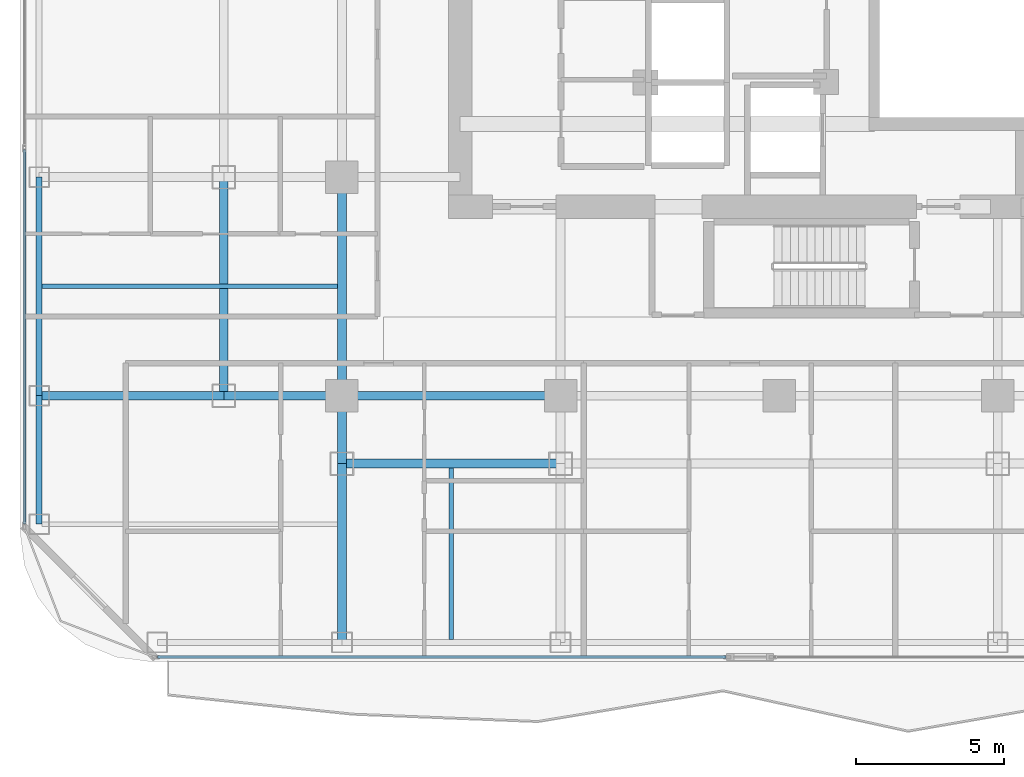
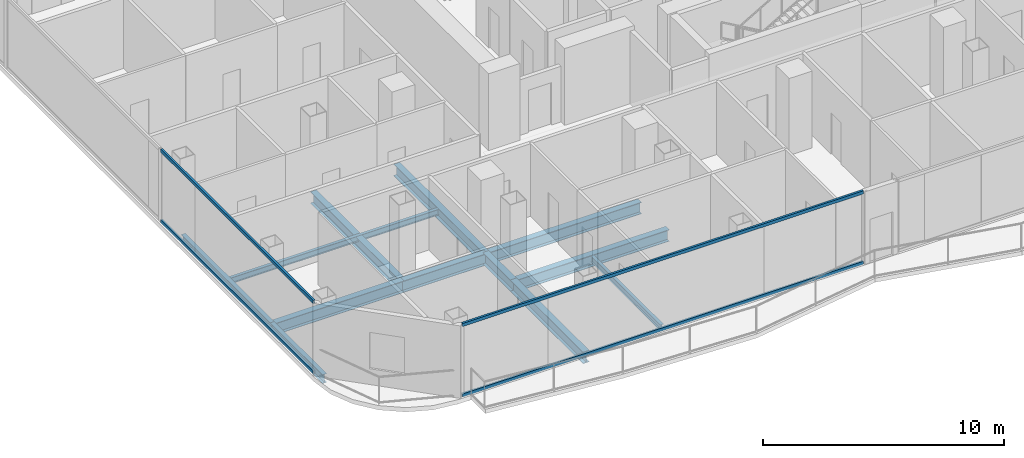
# One storey, part 3 of 26: 12 beams, 4 members, 2 elements without a shape of their own.
"""IFC4 building model written with IfcOpenShell, lengths in metres."""

from ifc_helpers import new_model, si_unit, direction, frame, origin, origin_2d, place, context, subcontext, project, spatial, hollow_rectangle, i_section, extrude, material, layer, layer_set, material_profile, profile_set, type_object, element, aggregate, save


model = new_model("IFC4")

# Units and contexts
model_context = context("Model", 3, precision=1e-05, world=origin(), true_north=direction((0.0, 1.0)))
body_context = subcontext(model_context, "Body", "Model", "MODEL_VIEW")
ifc_project = project(units=[si_unit("LENGTHUNIT", "METRE"), si_unit("AREAUNIT", "SQUARE_METRE"), si_unit("VOLUMEUNIT", "CUBIC_METRE"), si_unit("PLANEANGLEUNIT", "RADIAN"), si_unit("MASSUNIT", "GRAM", prefix="KILO")], contexts=[model_context])

# Site, building, storey
site_placement = place(None, origin())
site = spatial("IfcSite", under=ifc_project, at=site_placement, CompositionType="ELEMENT")
building_placement = place(site_placement, origin())
building = spatial("IfcBuilding", under=site, at=building_placement, Name="Khorvyn Point Tower", CompositionType="ELEMENT")
storey_placement = place(building_placement, frame((0.0, 0.0, 183.60009765625)))
storey = spatial("IfcBuildingStorey", under=building, at=storey_placement, Name="L45", CompositionType="ELEMENT", Elevation=183.60009765625)

# Curtain wall, members
ifc_material_1 = material(Name="Anodised aluminium 6063-T6 and laminated Low-E glass", Category="aluminium")
ifc_layer = layer(ifc_material_1, 0.18994140625)
ifc_layer_set = layer_set([ifc_layer], Name="Stick-Built Acoustic Curtain Wall CW-SYS-03")
curtain_wall_type = type_object("IfcCurtainWallType", Name="Stick-Built Acoustic Curtain Wall CW-SYS-03", PredefinedType="NOTDEFINED", material=ifc_layer_set)
curtain_wall_1_placement = place(storey_placement, origin())
curtain_wall_1 = element("IfcCurtainWall", 1, at=curtain_wall_1_placement, inside=storey, type_object=curtain_wall_type, Name="Curtain Wall", PredefinedType="NOTDEFINED")
ifc_material_2 = material(Name="Anodised aluminium 6063-T6", Category="aluminium")
ifc_material_profile_1 = material_profile(ifc_material_2, hollow_rectangle(XDim=0.10009765625, YDim=0.159912109375, WallThickness=0.00439453125, at=origin_2d()))
ifc_profile_set_1 = profile_set([ifc_material_profile_1], Name="Anodised aluminium 6063-T6 ALU-TRN-100x160")
member_type = type_object("IfcMemberType", Name="Anodised Aluminium 6063-T6 Transom ALU-TRN-100x160", PredefinedType="USERDEFINED", material=ifc_profile_set_1)
member_1_placement = place(storey_placement, frame((-1.805908203125, -23.64990234375, 0.0498046875), z_axis=(-1.0, 0.0, 0.0), x_axis=(0.0, -1.0, 0.0)))
member_1 = element("IfcMember", 2, at=member_1_placement, type_object=member_type, Name="Transom", ObjectType="TRANSOM", PredefinedType="USERDEFINED", context=body_context, shape_type="SweptSolid", body=[
    extrude(hollow_rectangle(XDim=0.10009765625, YDim=0.159912109375, WallThickness=0.00439453125, at=origin_2d()), origin(), (0.0, 0.0, 1.0), 19.244140625),
])
member_2_placement = place(storey_placement, frame((-1.805908203125, -23.64990234375, 3.6298828125), z_axis=(-1.0, 0.0, 0.0), x_axis=(0.0, -1.0, 0.0)))
member_2 = element("IfcMember", 3, at=member_2_placement, type_object=member_type, Name="Transom", ObjectType="TRANSOM", PredefinedType="USERDEFINED", context=body_context, shape_type="SweptSolid", body=[
    extrude(hollow_rectangle(XDim=0.10009765625, YDim=0.159912109375, WallThickness=0.00439453125, at=origin_2d()), origin(), (0.0, 0.0, 1.0), 19.244140625),
])
aggregate(curtain_wall_1, [member_1, member_2])

curtain_wall_2_placement = place(storey_placement, origin())
curtain_wall_2 = element("IfcCurtainWall", 4, at=curtain_wall_2_placement, inside=storey, type_object=curtain_wall_type, Name="Curtain Wall", PredefinedType="NOTDEFINED")
member_3_placement = place(storey_placement, frame((-25.550048828125, -19.14990234375, 0.0498046875), z_axis=(0.0, 1.0, 0.0), x_axis=(-1.0, 0.0, 0.0)))
member_3 = element("IfcMember", 5, at=member_3_placement, type_object=member_type, Name="Transom", ObjectType="TRANSOM", PredefinedType="USERDEFINED", context=body_context, shape_type="SweptSolid", body=[
    extrude(hollow_rectangle(XDim=0.10009765625, YDim=0.159912109375, WallThickness=0.00439453125, at=origin_2d()), origin(), (0.0, 0.0, 1.0), 12.683349609375),
])
member_4_placement = place(storey_placement, frame((-25.550048828125, -19.14990234375, 3.6298828125), z_axis=(0.0, 1.0, 0.0), x_axis=(-1.0, 0.0, 0.0)))
member_4 = element("IfcMember", 6, at=member_4_placement, type_object=member_type, Name="Transom", ObjectType="TRANSOM", PredefinedType="USERDEFINED", context=body_context, shape_type="SweptSolid", body=[
    extrude(hollow_rectangle(XDim=0.10009765625, YDim=0.159912109375, WallThickness=0.00439453125, at=origin_2d()), origin(), (0.0, 0.0, 1.0), 12.683349609375),
])
aggregate(curtain_wall_2, [member_3, member_4])

# Beams
ifc_material_3 = material(Name="Steel S355", Category="steel")
ifc_material_profile_2 = material_profile(ifc_material_3, i_section(OverallWidth=0.300048828125, OverallDepth=0.587890625, WebThickness=0.011962890625, FlangeThickness=0.02001953125, at=origin_2d()))
ifc_profile_set_2 = profile_set([ifc_material_profile_2], Name="Steel S355 H588x300x12x20")
beam_type_1 = type_object("IfcBeamType", Name="Steel S355 Beam H588x300x12x20", PredefinedType="BEAM", material=ifc_profile_set_2)
beam_1_placement = place(storey_placement, frame((-25.050048828125, -14.800048828125, -0.51416015625), z_axis=(1.0, 0.0, 0.0), x_axis=(0.0, 1.0, 0.0)))
element("IfcBeam", 7, at=beam_1_placement, inside=storey, type_object=beam_type_1, Name="Beam", PredefinedType="BEAM", context=body_context, shape_type="SweptSolid", body=[
    extrude(i_section(OverallWidth=0.300048828125, OverallDepth=0.587890625, WebThickness=0.011962890625, FlangeThickness=0.02001953125, at=origin_2d()), origin(), (0.0, 0.0, 1.0), 6.25),
])
beam_2_placement = place(storey_placement, frame((-18.800048828125, -14.800048828125, -0.51416015625), z_axis=(1.0, 0.0, 0.0), x_axis=(0.0, 1.0, 0.0)))
element("IfcBeam", 8, at=beam_2_placement, inside=storey, type_object=beam_type_1, Name="Beam", PredefinedType="BEAM", context=body_context, shape_type="SweptSolid", body=[
    extrude(i_section(OverallWidth=0.300048828125, OverallDepth=0.587890625, WebThickness=0.011962890625, FlangeThickness=0.02001953125, at=origin_2d()), origin(), (0.0, 0.0, 1.0), 4.0),
])
for number, where, z_axis, x_axis, name in (
    (9, (-14.800048828125, -14.800048828125, -0.51416015625), (1.0, 0.0, 0.0), (0.0, 1.0, 0.0), "Beam"),
    (10, (-14.800048828125, -17.10009765625, -0.51416015625), (1.0, 0.0, 0.0), (0.0, 1.0, 0.0), "Beam"),
):
    element("IfcBeam", number, at=place(storey_placement, frame(where, z_axis=z_axis, x_axis=x_axis)), inside=storey, type_object=beam_type_1, Name=name, PredefinedType="BEAM", context=body_context, shape_type="SweptSolid", body=[
        extrude(i_section(OverallWidth=0.300048828125, OverallDepth=0.587890625, WebThickness=0.011962890625, FlangeThickness=0.02001953125, at=origin_2d()), origin(), (0.0, 0.0, 1.0), 7.400146484375),
    ])
beam_3_placement = place(storey_placement, frame((-14.800048828125, -23.14990234375, -0.51416015625), z_axis=(0.0, 1.0, 0.0), x_axis=(-1.0, 0.0, 0.0)))
element("IfcBeam", 11, at=beam_3_placement, inside=storey, type_object=beam_type_1, Name="Beam", PredefinedType="BEAM", context=body_context, shape_type="SweptSolid", body=[
    extrude(i_section(OverallWidth=0.300048828125, OverallDepth=0.587890625, WebThickness=0.011962890625, FlangeThickness=0.02001953125, at=origin_2d()), origin(), (0.0, 0.0, 1.0), 6.0498046875),
])
beam_4_placement = place(storey_placement, frame((-14.800048828125, -17.10009765625, -0.51416015625), z_axis=(0.0, 1.0, 0.0), x_axis=(-1.0, 0.0, 0.0)))
element("IfcBeam", 12, at=beam_4_placement, inside=storey, type_object=beam_type_1, Name="Beam", PredefinedType="BEAM", context=body_context, shape_type="SweptSolid", body=[
    extrude(i_section(OverallWidth=0.300048828125, OverallDepth=0.587890625, WebThickness=0.011962890625, FlangeThickness=0.02001953125, at=origin_2d()), origin(), (0.0, 0.0, 1.0), 2.300048828125),
])
for number, where, z_axis, x_axis, name in (
    (13, (-14.800048828125, -14.800048828125, -0.51416015625), (0.0, 1.0, 0.0), (-1.0, 0.0, 0.0), "Beam"),
    (14, (-18.800048828125, -14.800048828125, -0.51416015625), (0.0, 1.0, 0.0), (-1.0, 0.0, 0.0), "Beam"),
):
    element("IfcBeam", number, at=place(storey_placement, frame(where, z_axis=z_axis, x_axis=x_axis)), inside=storey, type_object=beam_type_1, Name=name, PredefinedType="BEAM", context=body_context, shape_type="SweptSolid", body=[
        extrude(i_section(OverallWidth=0.300048828125, OverallDepth=0.587890625, WebThickness=0.011962890625, FlangeThickness=0.02001953125, at=origin_2d()), origin(), (0.0, 0.0, 1.0), 7.400146484375),
    ])
ifc_material_profile_3 = material_profile(ifc_material_3, i_section(OverallWidth=0.14990234375, OverallDepth=0.300048828125, WebThickness=0.006591796875, FlangeThickness=0.009033203125, at=origin_2d()))
ifc_profile_set_3 = profile_set([ifc_material_profile_3], Name="Steel S355 H300x150x6.5x9")
beam_type_2 = type_object("IfcBeamType", Name="Steel S355 Joist H300x150x6.5x9", PredefinedType="JOIST", material=ifc_profile_set_3)
beam_5_placement = place(storey_placement, frame((-24.949951171875, -11.10009765625, -0.3701171875), z_axis=(1.0, 0.0, 0.0), x_axis=(0.0, 1.0, 0.0)))
element("IfcBeam", 15, at=beam_5_placement, inside=storey, type_object=beam_type_2, Name="Beam", PredefinedType="JOIST", context=body_context, shape_type="SweptSolid", body=[
    extrude(i_section(OverallWidth=0.14990234375, OverallDepth=0.300048828125, WebThickness=0.006591796875, FlangeThickness=0.009033203125, at=origin_2d()), origin(), (0.0, 0.0, 1.0), 10.0),
])
beam_6_placement = place(storey_placement, frame((-11.10009765625, -23.050048828125, -0.3701171875), z_axis=(0.0, 1.0, 0.0), x_axis=(-1.0, 0.0, 0.0)))
element("IfcBeam", 16, at=beam_6_placement, inside=storey, type_object=beam_type_2, Name="Beam", PredefinedType="JOIST", context=body_context, shape_type="SweptSolid", body=[
    extrude(i_section(OverallWidth=0.14990234375, OverallDepth=0.300048828125, WebThickness=0.006591796875, FlangeThickness=0.009033203125, at=origin_2d()), origin(), (0.0, 0.0, 1.0), 5.800048828125),
])
ifc_material_profile_4 = material_profile(ifc_material_3, i_section(OverallWidth=0.199951171875, OverallDepth=0.449951171875, WebThickness=0.009033203125, FlangeThickness=0.013916015625, at=origin_2d()))
ifc_profile_set_4 = profile_set([ifc_material_profile_4], Name="Steel S355 H450x200x9x14")
beam_type_3 = type_object("IfcBeamType", Name="Steel S355 Spandrel H450x200x9x14", PredefinedType="SPANDREL", material=ifc_profile_set_4)
beam_7_placement = place(storey_placement, frame((-25.050048828125, -19.14990234375, -0.445068359375), z_axis=(0.0, 1.0, 0.0), x_axis=(-1.0, 0.0, 0.0)))
element("IfcBeam", 17, at=beam_7_placement, inside=storey, type_object=beam_type_3, Name="Beam", PredefinedType="SPANDREL", context=body_context, shape_type="SweptSolid", body=[
    extrude(i_section(OverallWidth=0.199951171875, OverallDepth=0.449951171875, WebThickness=0.009033203125, FlangeThickness=0.013916015625, at=origin_2d()), origin(), (0.0, 0.0, 1.0), 4.349853515625),
])
beam_8_placement = place(storey_placement, frame((-25.050048828125, -14.800048828125, -0.445068359375), z_axis=(0.0, 1.0, 0.0), x_axis=(-1.0, 0.0, 0.0)))
element("IfcBeam", 18, at=beam_8_placement, inside=storey, type_object=beam_type_3, Name="Beam", PredefinedType="SPANDREL", context=body_context, shape_type="SweptSolid", body=[
    extrude(i_section(OverallWidth=0.199951171875, OverallDepth=0.449951171875, WebThickness=0.009033203125, FlangeThickness=0.013916015625, at=origin_2d()), origin(), (0.0, 0.0, 1.0), 7.400146484375),
])

save(model, "model.ifc")
